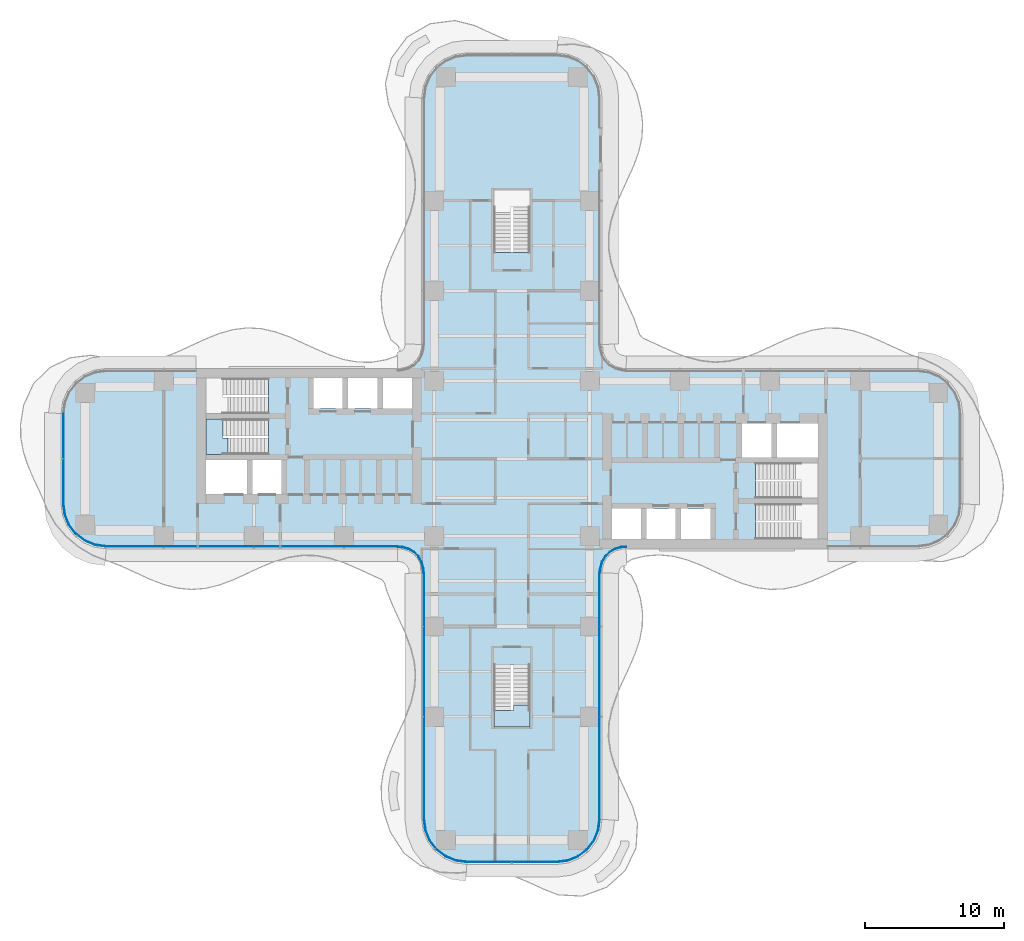
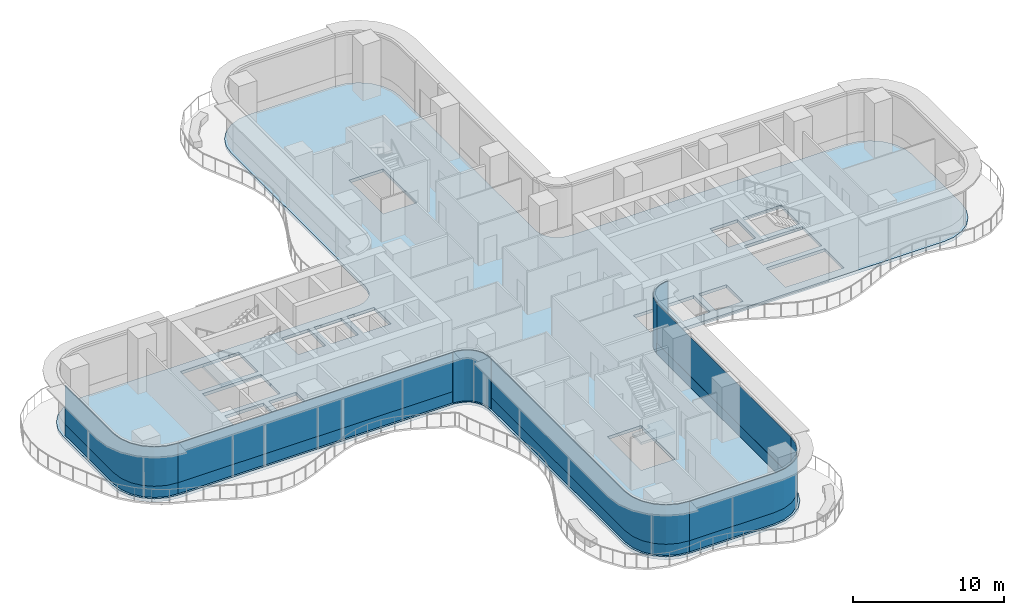
# One storey, part 14 of 22: 12 plates, 3 slabs, 9 elements without a shape of their own.
"""IFC4 building model written with IfcOpenShell, lengths in metres."""

from ifc_helpers import new_model, si_unit, direction, frame, origin, place, context, subcontext, project, spatial, polyline, outline, extrude, source, transform, mapped, material, layer, layer_set, type_object, element, aggregate, save


model = new_model("IFC4")

# Units and contexts
model_context = context("Model", 3, precision=1e-05, world=origin(), true_north=direction((0.0, 1.0)))
body_context = subcontext(model_context, "Body", "Model", "MODEL_VIEW")
ifc_project = project(units=[si_unit("LENGTHUNIT", "METRE"), si_unit("AREAUNIT", "SQUARE_METRE"), si_unit("VOLUMEUNIT", "CUBIC_METRE"), si_unit("PLANEANGLEUNIT", "RADIAN"), si_unit("MASSUNIT", "GRAM", prefix="KILO")], contexts=[model_context])

# Site, building, storey
site_placement = place(None, origin())
site = spatial("IfcSite", under=ifc_project, at=site_placement, CompositionType="ELEMENT")
building_placement = place(site_placement, origin())
building = spatial("IfcBuilding", under=site, at=building_placement, Name="Trellis Farm Tower", CompositionType="ELEMENT")
storey_placement = place(building_placement, frame((0.0, 0.0, 47.5)))
storey = spatial("IfcBuildingStorey", under=building, at=storey_placement, Name="L09", CompositionType="ELEMENT", Elevation=47.5)

# Slab
ifc_material_1 = material(Name="Concrete C40/50", Category="concrete")
ifc_layer_1 = layer(ifc_material_1, 0.25)
ifc_layer_set_1 = layer_set([ifc_layer_1], Name="Composite deck floor slab 250")
slab_type_1 = type_object("IfcSlabType", Name="Composite deck floor slab 250", PredefinedType="FLOOR", material=ifc_layer_set_1)
shared_shape_1 = source(origin(), body_context, "Body", "SweptSolid", [
    extrude(outline(polyline([(-30.09130859375, -6.389404296875), (-30.875, -6.064697265625), (-31.548095703125, -5.548095703125), (-32.064697265625, -4.875), (-32.389404296875, -4.09130859375), (-32.5, -3.25), (-32.5, 3.25), (-32.389404296875, 4.09130859375), (-32.064697265625, 4.875), (-31.548095703125, 5.548095703125), (-30.875, 6.064697265625), (-30.09130859375, 6.389404296875), (-29.25, 6.5), (-8.2314453125, 6.5), (-8.01953125, 6.513916015625), (-7.91552734375, 6.527587890625), (-7.508544921875, 6.63671875), (-7.144287109375, 6.846923828125), (-6.846923828125, 7.144287109375), (-6.63671875, 7.508544921875), (-6.527587890625, 7.91552734375), (-6.513916015625, 8.01953125), (-6.5, 8.2314453125), (-6.5, 26.0), (-6.389404296875, 26.84130859375), (-6.064697265625, 27.625), (-5.548095703125, 28.298095703125), (-4.875, 28.814697265625), (-4.09130859375, 29.139404296875), (-3.25, 29.25), (3.25, 29.25), (4.09130859375, 29.139404296875), (4.875, 28.814697265625), (5.548095703125, 28.298095703125), (6.064697265625, 27.625), (6.389404296875, 26.84130859375), (6.5, 26.0), (6.5, 8.2314453125), (6.513916015625, 8.01953125), (6.527587890625, 7.91552734375), (6.63671875, 7.508544921875), (6.846923828125, 7.144287109375), (7.144287109375, 6.846923828125), (7.508544921875, 6.63671875), (7.91552734375, 6.527587890625), (8.01953125, 6.513916015625), (8.2314453125, 6.5), (29.25, 6.5), (30.09130859375, 6.389404296875), (30.875, 6.064697265625), (31.548095703125, 5.548095703125), (32.064697265625, 4.875), (32.389404296875, 4.09130859375), (32.5, 3.25), (32.5, -3.25), (32.389404296875, -4.09130859375), (32.064697265625, -4.875), (31.548095703125, -5.548095703125), (30.875, -6.064697265625), (30.09130859375, -6.389404296875), (29.25, -6.5), (8.2314453125, -6.5), (8.01953125, -6.513916015625), (7.91552734375, -6.527587890625), (7.508544921875, -6.63671875), (7.144287109375, -6.846923828125), (6.846923828125, -7.144287109375), (6.63671875, -7.508544921875), (6.527587890625, -7.91552734375), (6.513916015625, -8.01953125), (6.5, -8.2314453125), (6.5, -26.0), (6.389404296875, -26.84130859375), (6.064697265625, -27.625), (5.548095703125, -28.298095703125), (4.875, -28.814697265625), (4.09130859375, -29.139404296875), (3.25, -29.25), (-3.25, -29.25), (-4.09130859375, -29.139404296875), (-4.875, -28.814697265625), (-5.548095703125, -28.298095703125), (-6.064697265625, -27.625), (-6.389404296875, -26.84130859375), (-6.5, -26.0), (-6.5, -8.2314453125), (-6.513916015625, -8.01953125), (-6.527587890625, -7.91552734375), (-6.63671875, -7.508544921875), (-6.846923828125, -7.144287109375), (-7.144287109375, -6.846923828125), (-7.508544921875, -6.63671875), (-7.91552734375, -6.527587890625), (-8.01953125, -6.513916015625), (-8.2314453125, -6.5), (-29.25, -6.5), (-30.09130859375, -6.389404296875)]), holes=[polyline([(-22.050048828125, -0.10009765625), (-22.050048828125, -2.550048828125), (-19.10009765625, -2.550048828125), (-19.10009765625, -0.10009765625), (-22.050048828125, -0.10009765625)]), polyline([(-18.699951171875, -0.10009765625), (-18.699951171875, -2.550048828125), (-16.60009765625, -2.550048828125), (-16.60009765625, -0.10009765625), (-18.699951171875, -0.10009765625)]), polyline([(-17.56201171875, 1.64990234375), (-17.56201171875, 2.85009765625), (-22.050048828125, 2.85009765625), (-22.050048828125, 0.300048828125), (-17.56005859375, 0.300048828125), (-17.56005859375, 1.5), (-17.550048828125, 1.5), (-17.550048828125, 1.64990234375), (-17.56201171875, 1.64990234375)]), polyline([(-17.56201171875, 4.60009765625), (-17.56201171875, 5.800048828125), (-22.050048828125, 5.800048828125), (-22.050048828125, 3.25), (-17.56005859375, 3.25), (-17.56005859375, 4.449951171875), (-17.550048828125, 4.449951171875), (-17.550048828125, 4.60009765625), (-17.56201171875, 4.60009765625)]), polyline([(-14.300048828125, 5.800048828125), (-14.300048828125, 3.60009765625), (-12.199951171875, 3.60009765625), (-12.199951171875, 5.800048828125), (-14.300048828125, 5.800048828125)]), polyline([(-11.800048828125, 5.800048828125), (-11.800048828125, 3.60009765625), (-9.699951171875, 3.60009765625), (-9.699951171875, 5.800048828125), (-11.800048828125, 5.800048828125)]), polyline([(-9.300048828125, 5.800048828125), (-9.300048828125, 3.60009765625), (-7.199951171875, 3.60009765625), (-7.199951171875, 5.800048828125), (-9.300048828125, 5.800048828125)]), polyline([(0.10009765625, 14.862060546875), (1.300048828125, 14.862060546875), (1.300048828125, 19.35009765625), (-1.300048828125, 19.35009765625), (-1.300048828125, 14.860107421875), (-0.10009765625, 14.860107421875), (-0.10009765625, 14.85009765625), (0.10009765625, 14.85009765625), (0.10009765625, 14.862060546875)]), polyline([(-0.10009765625, -14.862060546875), (-1.300048828125, -14.862060546875), (-1.300048828125, -19.35009765625), (1.300048828125, -19.35009765625), (1.300048828125, -14.860107421875), (0.10009765625, -14.860107421875), (0.10009765625, -14.85009765625), (-0.10009765625, -14.85009765625), (-0.10009765625, -14.862060546875)]), polyline([(9.300048828125, -5.800048828125), (9.300048828125, -3.60009765625), (7.199951171875, -3.60009765625), (7.199951171875, -5.800048828125), (9.300048828125, -5.800048828125)]), polyline([(11.800048828125, -5.800048828125), (11.800048828125, -3.60009765625), (9.699951171875, -3.60009765625), (9.699951171875, -5.800048828125), (11.800048828125, -5.800048828125)]), polyline([(14.300048828125, -5.800048828125), (14.300048828125, -3.60009765625), (12.199951171875, -3.60009765625), (12.199951171875, -5.800048828125), (14.300048828125, -5.800048828125)]), polyline([(17.56201171875, -4.60009765625), (17.56201171875, -5.800048828125), (22.050048828125, -5.800048828125), (22.050048828125, -3.25), (17.56005859375, -3.25), (17.56005859375, -4.449951171875), (17.550048828125, -4.449951171875), (17.550048828125, -4.60009765625), (17.56201171875, -4.60009765625)]), polyline([(17.56201171875, -1.64990234375), (17.56201171875, -2.85009765625), (22.050048828125, -2.85009765625), (22.050048828125, -0.300048828125), (17.56005859375, -0.300048828125), (17.56005859375, -1.5), (17.550048828125, -1.5), (17.550048828125, -1.64990234375), (17.56201171875, -1.64990234375)]), polyline([(18.699951171875, 0.10009765625), (18.699951171875, 2.550048828125), (16.60009765625, 2.550048828125), (16.60009765625, 0.10009765625), (18.699951171875, 0.10009765625)]), polyline([(22.050048828125, 0.10009765625), (22.050048828125, 2.550048828125), (19.10009765625, 2.550048828125), (19.10009765625, 0.10009765625), (22.050048828125, 0.10009765625)])]), origin(), (0.0, 0.0, 1.0), 0.25),
])
slab_1_placement = place(storey_placement, frame((0.0, 0.0, -0.25)))
element("IfcSlab", 1, at=slab_1_placement, inside=storey, type_object=slab_type_1, Name="Floor slab", PredefinedType="FLOOR", context=body_context, shape_type="MappedRepresentation", body=[
    mapped(shared_shape_1, transform((0.0, 0.0, 0.0))),
])

# Stair, slab
ifc_material_2 = material(Name="Concrete C50/60", Category="concrete")
stair_type = type_object("IfcStairType", Name="CORE EXIT STAIR 26 RISERS 173 MM", PredefinedType="HALF_TURN_STAIR", material=ifc_material_2)
placement_1 = place(storey_placement, origin())
stair_1 = element("IfcStair", 2, at=placement_1, inside=storey, type_object=stair_type, Name="Exit stair S", PredefinedType="HALF_TURN_STAIR")
ifc_layer_2 = layer(ifc_material_2, 0.18994140625)
ifc_layer_set_2 = layer_set([ifc_layer_2], Name="CORE STAIR LANDING 190 CONCRETE C50/60")
slab_type_2 = type_object("IfcSlabType", Name="CORE STAIR LANDING 190 CONCRETE C50/60", PredefinedType="LANDING", material=ifc_layer_set_2)
shared_shape_2 = source(origin(), body_context, "Body", "SweptSolid", [
    extrude(outline(polyline([(1.300048828125, -19.35009765625), (-1.300048828125, -19.35009765625), (-1.300048828125, -18.14990234375), (-1.300048828125, -18.139892578125), (-0.10009765625, -18.139892578125), (-0.10009765625, -18.14990234375), (0.10009765625, -18.14990234375), (0.10009765625, -17.753173828125), (1.300048828125, -17.753173828125), (1.300048828125, -18.14990234375), (1.300048828125, -19.35009765625)])), origin(), (0.0, 0.0, 1.0), 0.18994140625),
])
placement_2 = place(storey_placement, frame((0.0, 0.0, 2.06005859375)))
slab_2 = element("IfcSlab", 3, at=placement_2, type_object=slab_type_2, Name="STS landing 1", PredefinedType="LANDING", context=body_context, shape_type="MappedRepresentation", body=[
    mapped(shared_shape_2, transform((0.0, 0.0, 0.0))),
])
aggregate(stair_1, [slab_2])

stair_2 = element("IfcStair", 4, at=placement_1, inside=storey, type_object=stair_type, Name="Exit stair W2", PredefinedType="HALF_TURN_STAIR")
shared_shape_3 = source(origin(), body_context, "Body", "SweptSolid", [
    extrude(outline(polyline([(-20.453125, 1.5), (-20.453125, 0.300048828125), (-20.85009765625, 0.300048828125), (-22.050048828125, 0.300048828125), (-22.050048828125, 2.85009765625), (-20.85009765625, 2.85009765625), (-20.840087890625, 2.85009765625), (-20.840087890625, 1.64990234375), (-20.85009765625, 1.64990234375), (-20.85009765625, 1.5), (-20.453125, 1.5)])), origin(), (0.0, 0.0, 1.0), 0.18994140625),
])
slab_3 = element("IfcSlab", 5, at=placement_2, type_object=slab_type_2, Name="STW2 landing 1", PredefinedType="LANDING", context=body_context, shape_type="MappedRepresentation", body=[
    mapped(shared_shape_3, transform((0.0, 0.0, 0.0))),
])
aggregate(stair_2, [slab_3])

# Curtain wall, plates
ifc_material_3 = material(Name="Aluminium and glass curtain wall", Category="aluminium")
ifc_layer_3 = layer(ifc_material_3, 0.18994140625)
ifc_layer_set_3 = layer_set([ifc_layer_3], Name="RIBBON CURTAIN WALL CW1")
curtain_wall_type_1 = type_object("IfcCurtainWallType", Name="RIBBON CURTAIN WALL CW1", PredefinedType="NOTDEFINED", material=ifc_layer_set_3)
curtain_wall_1 = element("IfcCurtainWall", 6, at=placement_1, inside=storey, type_object=curtain_wall_type_1, Name="CW1 001", PredefinedType="NOTDEFINED")
ifc_material_4 = material(Name="Clear insulated glass", Category="glass")
ifc_layer_4 = layer(ifc_material_4, 0.0400390625)
ifc_layer_set_4 = layer_set([ifc_layer_4], Name="CW1 GLASS PANEL 40")
plate_type_1 = type_object("IfcPlateType", Name="CW1 GLASS PANEL 40", PredefinedType="CURTAIN_PANEL", material=ifc_layer_set_4)
shared_shape_4 = source(origin(), body_context, "Body", "SweptSolid", [
    extrude(outline(polyline([(-29.240234375, -6.35009765625), (-8.2265625, -6.35009765625), (-8.22509765625, -6.31005859375), (-29.237548828125, -6.31005859375), (-29.240234375, -6.35009765625)])), origin(), (0.0, 0.0, 1.0), 3.170166015625),
])
placement_3 = place(storey_placement, frame((0.0, 0.0, 0.89990234375)))
plate_1 = element("IfcPlate", 7, at=placement_3, type_object=plate_type_1, Name="PL1 001", PredefinedType="CURTAIN_PANEL", context=body_context, shape_type="MappedRepresentation", body=[
    mapped(shared_shape_4, transform((0.0, 0.0, 0.0))),
])
ifc_material_5 = material(Name="Sandstone faced insulated panel", Category="masonry")
ifc_layer_5 = layer(ifc_material_5, 0.050048828125)
ifc_layer_set_5 = layer_set([ifc_layer_5], Name="CW1 STONE SPANDREL PANEL 50")
plate_type_2 = type_object("IfcPlateType", Name="CW1 STONE SPANDREL PANEL 50", PredefinedType="CURTAIN_PANEL", material=ifc_layer_set_5)
shared_shape_5 = source(origin(), body_context, "Body", "SweptSolid", [
    extrude(outline(polyline([(-29.240234375, -6.35009765625), (-8.2265625, -6.35009765625), (-8.224853515625, -6.300048828125), (-29.23681640625, -6.300048828125), (-29.240234375, -6.35009765625)])), origin(), (0.0, 0.0, 1.0), 0.89990234375),
])
plate_2 = element("IfcPlate", 8, at=placement_1, type_object=plate_type_2, Name="PS1 001", PredefinedType="CURTAIN_PANEL", context=body_context, shape_type="MappedRepresentation", body=[
    mapped(shared_shape_5, transform((0.0, 0.0, 0.0))),
])
aggregate(curtain_wall_1, [plate_1, plate_2])

# Curtain wall, plate
ifc_layer_6 = layer(ifc_material_3, 0.166015625)
ifc_layer_set_6 = layer_set([ifc_layer_6], Name="WINTER GARDEN CURTAIN WALL CW3")
curtain_wall_type_2 = type_object("IfcCurtainWallType", Name="WINTER GARDEN CURTAIN WALL CW3", PredefinedType="NOTDEFINED", material=ifc_layer_set_6)
curtain_wall_2 = element("IfcCurtainWall", 9, at=placement_1, inside=storey, type_object=curtain_wall_type_2, Name="CW3 001", PredefinedType="NOTDEFINED")
ifc_layer_7 = layer(ifc_material_4, 0.0458984375)
ifc_layer_set_7 = layer_set([ifc_layer_7], Name="CW3 GLASS PANEL 46")
plate_type_3 = type_object("IfcPlateType", Name="CW3 GLASS PANEL 46", PredefinedType="CURTAIN_PANEL", material=ifc_layer_set_7)
shared_shape_6 = source(origin(), body_context, "Body", "SweptSolid", [
    extrude(outline(polyline([(-8.2275390625, -6.3798828125), (-8.0078125, -6.394287109375), (-7.89208984375, -6.40966796875), (-7.462158203125, -6.52490234375), (-7.070556640625, -6.7509765625), (-6.7509765625, -7.070556640625), (-6.52490234375, -7.462158203125), (-6.40966796875, -7.89208984375), (-6.394287109375, -8.0078125), (-6.3798828125, -8.2275390625), (-6.333984375, -8.22607421875), (-6.3486328125, -8.003173828125), (-6.364501953125, -7.883056640625), (-6.48193359375, -7.4443359375), (-6.714111328125, -7.04248046875), (-7.04248046875, -6.714111328125), (-7.4443359375, -6.48193359375), (-7.883056640625, -6.364501953125), (-8.003173828125, -6.3486328125), (-8.22607421875, -6.333984375), (-8.2275390625, -6.3798828125)])), origin(), (0.0, 0.0, 1.0), 4.10009765625),
])
plate_3 = element("IfcPlate", 10, at=placement_1, type_object=plate_type_3, Name="PL3 001", PredefinedType="CURTAIN_PANEL", context=body_context, shape_type="MappedRepresentation", body=[
    mapped(shared_shape_6, transform((0.0, 0.0, 0.0))),
])
aggregate(curtain_wall_2, [plate_3])

# Curtain wall, plates
curtain_wall_3 = element("IfcCurtainWall", 11, at=placement_1, inside=storey, type_object=curtain_wall_type_1, Name="CW1 003", PredefinedType="NOTDEFINED")
shared_shape_7 = source(origin(), body_context, "Body", "SweptSolid", [
    extrude(outline(polyline([(-3.240234375, -29.10009765625), (3.240234375, -29.10009765625), (4.052001953125, -28.9931640625), (4.79931640625, -28.68359375), (5.441162109375, -28.191162109375), (5.93359375, -27.54931640625), (6.2431640625, -26.802001953125), (6.35009765625, -25.990234375), (6.31005859375, -25.987548828125), (6.2041015625, -26.79150390625), (5.898681640625, -27.529296875), (5.41259765625, -28.16259765625), (4.779296875, -28.648681640625), (4.04150390625, -28.9541015625), (3.237548828125, -29.06005859375), (-3.237548828125, -29.06005859375), (-3.240234375, -29.10009765625)])), origin(), (0.0, 0.0, 1.0), 3.170166015625),
])
plate_4 = element("IfcPlate", 12, at=placement_3, type_object=plate_type_1, Name="PL1 003", PredefinedType="CURTAIN_PANEL", context=body_context, shape_type="MappedRepresentation", body=[
    mapped(shared_shape_7, transform((0.0, 0.0, 0.0))),
])
shared_shape_8 = source(origin(), body_context, "Body", "SweptSolid", [
    extrude(outline(polyline([(-3.240234375, -29.10009765625), (3.240234375, -29.10009765625), (4.052001953125, -28.9931640625), (4.79931640625, -28.68359375), (5.441162109375, -28.191162109375), (5.93359375, -27.54931640625), (6.2431640625, -26.802001953125), (6.35009765625, -25.990234375), (6.300048828125, -25.98681640625), (6.1943359375, -26.7890625), (5.889892578125, -27.524169921875), (5.405517578125, -28.155517578125), (4.774169921875, -28.639892578125), (4.0390625, -28.9443359375), (3.23681640625, -29.050048828125), (-3.23681640625, -29.050048828125), (-3.240234375, -29.10009765625)])), origin(), (0.0, 0.0, 1.0), 0.89990234375),
])
plate_5 = element("IfcPlate", 13, at=placement_1, type_object=plate_type_2, Name="PS1 003", PredefinedType="CURTAIN_PANEL", context=body_context, shape_type="MappedRepresentation", body=[
    mapped(shared_shape_8, transform((0.0, 0.0, 0.0))),
])
aggregate(curtain_wall_3, [plate_4, plate_5])

curtain_wall_4 = element("IfcCurtainWall", 14, at=placement_1, inside=storey, type_object=curtain_wall_type_1, Name="CW1 004", PredefinedType="NOTDEFINED")
shared_shape_9 = source(origin(), body_context, "Body", "SweptSolid", [
    extrude(outline(polyline([(6.35009765625, -25.990234375), (6.35009765625, -8.2265625), (6.31005859375, -8.22509765625), (6.31005859375, -25.987548828125), (6.35009765625, -25.990234375)])), origin(), (0.0, 0.0, 1.0), 3.170166015625),
])
plate_6 = element("IfcPlate", 15, at=placement_3, type_object=plate_type_1, Name="PL1 004", PredefinedType="CURTAIN_PANEL", context=body_context, shape_type="MappedRepresentation", body=[
    mapped(shared_shape_9, transform((0.0, 0.0, 0.0))),
])
shared_shape_10 = source(origin(), body_context, "Body", "SweptSolid", [
    extrude(outline(polyline([(6.35009765625, -25.990234375), (6.35009765625, -8.2265625), (6.300048828125, -8.224853515625), (6.300048828125, -25.98681640625), (6.35009765625, -25.990234375)])), origin(), (0.0, 0.0, 1.0), 0.89990234375),
])
plate_7 = element("IfcPlate", 16, at=placement_1, type_object=plate_type_2, Name="PS1 004", PredefinedType="CURTAIN_PANEL", context=body_context, shape_type="MappedRepresentation", body=[
    mapped(shared_shape_10, transform((0.0, 0.0, 0.0))),
])
aggregate(curtain_wall_4, [plate_6, plate_7])

# Curtain wall, plate
curtain_wall_5 = element("IfcCurtainWall", 17, at=placement_1, inside=storey, type_object=curtain_wall_type_2, Name="CW3 002", PredefinedType="NOTDEFINED")
shared_shape_11 = source(origin(), body_context, "Body", "SweptSolid", [
    extrude(outline(polyline([(6.3798828125, -8.2275390625), (6.394287109375, -8.0078125), (6.40966796875, -7.89208984375), (6.52490234375, -7.462158203125), (6.7509765625, -7.070556640625), (7.070556640625, -6.7509765625), (7.462158203125, -6.52490234375), (7.89208984375, -6.40966796875), (8.0078125, -6.394287109375), (8.2275390625, -6.3798828125), (8.22607421875, -6.333984375), (8.003173828125, -6.3486328125), (7.883056640625, -6.364501953125), (7.4443359375, -6.48193359375), (7.04248046875, -6.714111328125), (6.714111328125, -7.04248046875), (6.48193359375, -7.4443359375), (6.364501953125, -7.883056640625), (6.3486328125, -8.003173828125), (6.333984375, -8.22607421875), (6.3798828125, -8.2275390625)])), origin(), (0.0, 0.0, 1.0), 4.10009765625),
])
plate_8 = element("IfcPlate", 18, at=placement_1, type_object=plate_type_3, Name="PL3 002", PredefinedType="CURTAIN_PANEL", context=body_context, shape_type="MappedRepresentation", body=[
    mapped(shared_shape_11, transform((0.0, 0.0, 0.0))),
])
aggregate(curtain_wall_5, [plate_8])

# Curtain wall, plates
curtain_wall_6 = element("IfcCurtainWall", 19, at=placement_1, inside=storey, type_object=curtain_wall_type_1, Name="CW1 002", PredefinedType="NOTDEFINED")
shared_shape_12 = source(origin(), body_context, "Body", "SweptSolid", [
    extrude(outline(polyline([(-6.35009765625, -8.2265625), (-6.35009765625, -25.990234375), (-6.2431640625, -26.802001953125), (-5.93359375, -27.54931640625), (-5.441162109375, -28.191162109375), (-4.79931640625, -28.68359375), (-4.052001953125, -28.9931640625), (-3.240234375, -29.10009765625), (-3.237548828125, -29.06005859375), (-4.04150390625, -28.9541015625), (-4.779296875, -28.648681640625), (-5.41259765625, -28.16259765625), (-5.898681640625, -27.529296875), (-6.2041015625, -26.79150390625), (-6.31005859375, -25.987548828125), (-6.31005859375, -8.22509765625), (-6.35009765625, -8.2265625)])), origin(), (0.0, 0.0, 1.0), 3.170166015625),
])
plate_9 = element("IfcPlate", 20, at=placement_3, type_object=plate_type_1, Name="PL1 002", PredefinedType="CURTAIN_PANEL", context=body_context, shape_type="MappedRepresentation", body=[
    mapped(shared_shape_12, transform((0.0, 0.0, 0.0))),
])
shared_shape_13 = source(origin(), body_context, "Body", "SweptSolid", [
    extrude(outline(polyline([(-6.35009765625, -8.2265625), (-6.35009765625, -25.990234375), (-6.2431640625, -26.802001953125), (-5.93359375, -27.54931640625), (-5.441162109375, -28.191162109375), (-4.79931640625, -28.68359375), (-4.052001953125, -28.9931640625), (-3.240234375, -29.10009765625), (-3.23681640625, -29.050048828125), (-4.0390625, -28.9443359375), (-4.774169921875, -28.639892578125), (-5.405517578125, -28.155517578125), (-5.889892578125, -27.524169921875), (-6.1943359375, -26.7890625), (-6.300048828125, -25.98681640625), (-6.300048828125, -8.224853515625), (-6.35009765625, -8.2265625)])), origin(), (0.0, 0.0, 1.0), 0.89990234375),
])
plate_10 = element("IfcPlate", 21, at=placement_1, type_object=plate_type_2, Name="PS1 002", PredefinedType="CURTAIN_PANEL", context=body_context, shape_type="MappedRepresentation", body=[
    mapped(shared_shape_13, transform((0.0, 0.0, 0.0))),
])
aggregate(curtain_wall_6, [plate_9, plate_10])

curtain_wall_7 = element("IfcCurtainWall", 22, at=placement_1, inside=storey, type_object=curtain_wall_type_1, Name="CW1 013", PredefinedType="NOTDEFINED")
shared_shape_14 = source(origin(), body_context, "Body", "SweptSolid", [
    extrude(outline(polyline([(-32.35009765625, 3.240234375), (-32.35009765625, -3.240234375), (-32.2431640625, -4.052001953125), (-31.93359375, -4.79931640625), (-31.441162109375, -5.441162109375), (-30.79931640625, -5.93359375), (-30.052001953125, -6.2431640625), (-29.240234375, -6.35009765625), (-29.237548828125, -6.31005859375), (-30.04150390625, -6.2041015625), (-30.779296875, -5.898681640625), (-31.41259765625, -5.41259765625), (-31.898681640625, -4.779296875), (-32.2041015625, -4.04150390625), (-32.31005859375, -3.237548828125), (-32.31005859375, 3.237548828125), (-32.35009765625, 3.240234375)])), origin(), (0.0, 0.0, 1.0), 3.170166015625),
])
plate_11 = element("IfcPlate", 23, at=placement_3, type_object=plate_type_1, Name="PL1 013", PredefinedType="CURTAIN_PANEL", context=body_context, shape_type="MappedRepresentation", body=[
    mapped(shared_shape_14, transform((0.0, 0.0, 0.0))),
])
shared_shape_15 = source(origin(), body_context, "Body", "SweptSolid", [
    extrude(outline(polyline([(-32.35009765625, 3.240234375), (-32.35009765625, -3.240234375), (-32.2431640625, -4.052001953125), (-31.93359375, -4.79931640625), (-31.441162109375, -5.441162109375), (-30.79931640625, -5.93359375), (-30.052001953125, -6.2431640625), (-29.240234375, -6.35009765625), (-29.23681640625, -6.300048828125), (-30.0390625, -6.1943359375), (-30.774169921875, -5.889892578125), (-31.405517578125, -5.405517578125), (-31.889892578125, -4.774169921875), (-32.1943359375, -4.0390625), (-32.300048828125, -3.23681640625), (-32.300048828125, 3.23681640625), (-32.35009765625, 3.240234375)])), origin(), (0.0, 0.0, 1.0), 0.89990234375),
])
plate_12 = element("IfcPlate", 24, at=placement_1, type_object=plate_type_2, Name="PS1 013", PredefinedType="CURTAIN_PANEL", context=body_context, shape_type="MappedRepresentation", body=[
    mapped(shared_shape_15, transform((0.0, 0.0, 0.0))),
])
aggregate(curtain_wall_7, [plate_11, plate_12])

save(model, "model.ifc")
